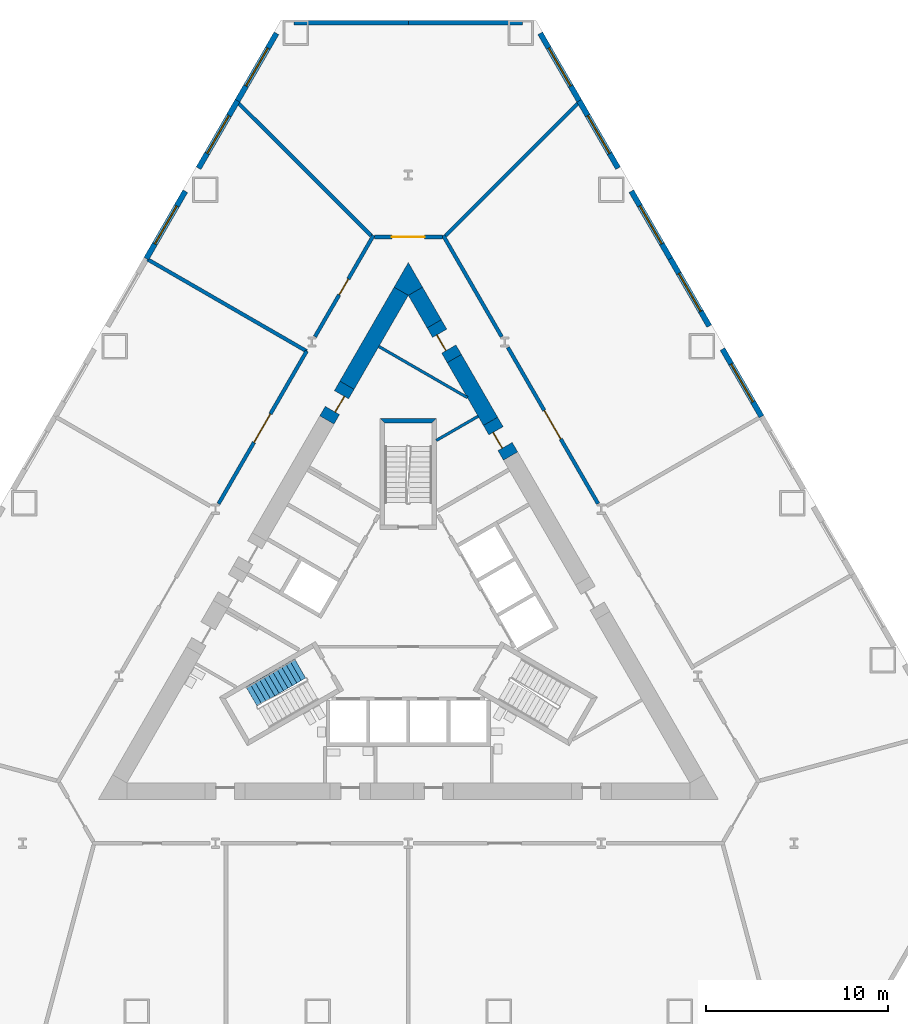
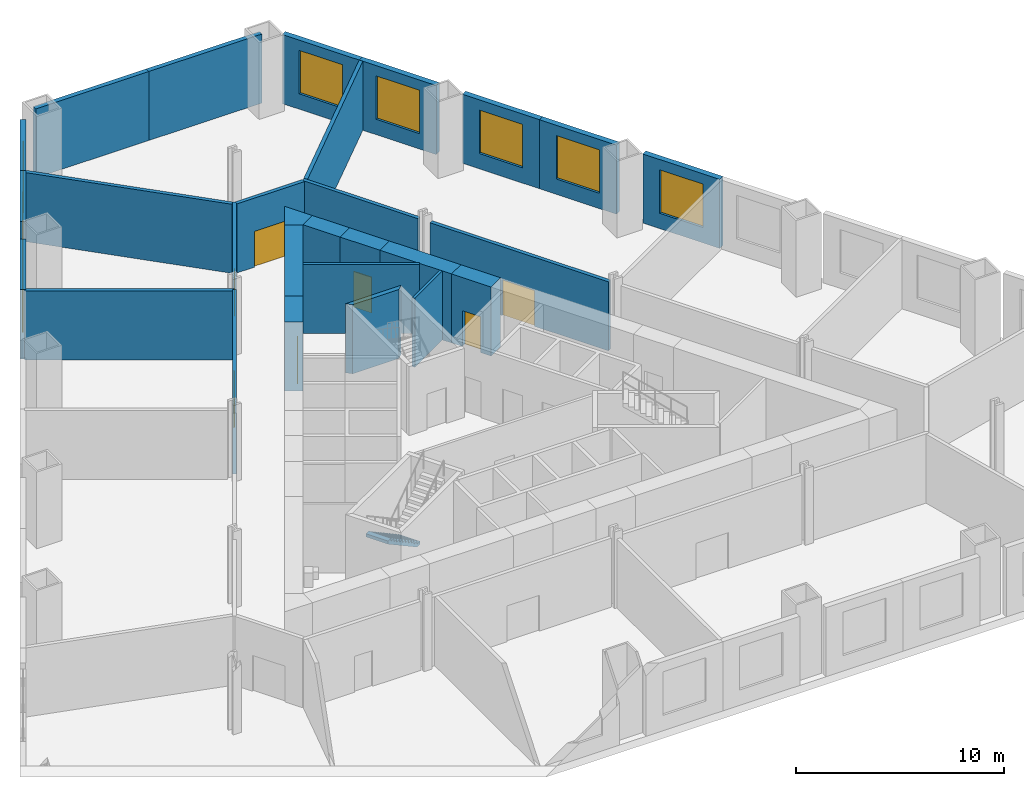
# One storey, part 5 of 8: 28 walls, 8 windows, 7 doors, 1 stair flight, 15 openings, 1 element without a shape of its own.
"""IFC4 building model written with IfcOpenShell, lengths in metres."""

from ifc_helpers import new_model, si_unit, direction, frame, frame_2d, origin, place, context, subcontext, project, spatial, polyline, rectangle, outline, extrude, material, layer, layer_set, type_object, element, fill, aggregate, save


model = new_model("IFC4")

# Units and contexts
model_context = context("Model", 3, precision=1e-05, world=origin(), true_north=direction((0.0, 1.0)))
body_context = subcontext(model_context, "Body", "Model", "MODEL_VIEW")
ifc_project = project(units=[si_unit("LENGTHUNIT", "METRE"), si_unit("AREAUNIT", "SQUARE_METRE"), si_unit("VOLUMEUNIT", "CUBIC_METRE"), si_unit("PLANEANGLEUNIT", "RADIAN"), si_unit("MASSUNIT", "GRAM", prefix="KILO")], contexts=[model_context])

# Site, building, storey
site_placement = place(None, origin())
site = spatial("IfcSite", under=ifc_project, at=site_placement, CompositionType="ELEMENT")
building_placement = place(site_placement, origin())
building = spatial("IfcBuilding", under=site, at=building_placement, Name="Cormorant Prow Tower", CompositionType="ELEMENT")
storey_placement = place(building_placement, frame((0.0, 0.0, 21.0)))
storey = spatial("IfcBuildingStorey", under=building, at=storey_placement, Name="L03", CompositionType="ELEMENT", Elevation=21.0)

# Walls
ifc_material_1 = material(Name="Gypsum board partition")
ifc_layer_1 = layer(ifc_material_1, 0.14990234375)
ifc_layer_set_1 = layer_set([ifc_layer_1], Name="Gypsum board partition")
wall_type_1 = type_object("IfcWallType", Name="Core partition 150", PredefinedType="PARTITIONING", material=ifc_layer_set_1)
wall_1_placement = place(storey_placement, frame((3.829345703125, 11.197265625, 0.0), z_axis=(0.0, 0.0, 1.0), x_axis=(-0.866016748302, -0.500014991436, 0.0)))
element("IfcWall", 1, at=wall_1_placement, inside=storey, type_object=wall_type_1, Name="Service room partition", PredefinedType="PARTITIONING", context=body_context, shape_type="SweptSolid", body=[
    extrude(rectangle(XDim=2.64892578125, YDim=0.14990234375, at=frame_2d((1.324462890625, 0.0))), origin(), (0.0, 0.0, 1.0), 4.050048828125),
])
wall_2_placement = place(storey_placement, frame((-1.61865234375, 15.0263671875, 0.0), z_axis=(0.0, 0.0, 1.0), x_axis=(0.866015917575, -0.500016430238, 0.0)))
element("IfcWall", 2, at=wall_2_placement, inside=storey, type_object=wall_type_1, Name="Service room partition", PredefinedType="PARTITIONING", context=body_context, shape_type="SweptSolid", body=[
    extrude(rectangle(XDim=5.607177734375, YDim=0.14990234375, at=frame_2d((2.8037109375, 0.0))), origin(), (0.0, 0.0, 1.0), 4.050048828125),
])
ifc_material_2 = material(Name="Concrete 8000 psi", Category="concrete")
ifc_layer_2 = layer(ifc_material_2, 0.89990234375)
ifc_layer_set_2 = layer_set([ifc_layer_2], Name="Concrete 8000 psi")
wall_type_2 = type_object("IfcWallType", Name="Core shear wall 900", PredefinedType="SHEAR", material=ifc_layer_set_2)
wall_3_placement = place(storey_placement, frame((4.508544921875, 10.9208984375, 0.0), z_axis=(0.0, 0.0, 1.0), x_axis=(-0.49999004381, 0.866031151917, 0.0)))
element("IfcWall", 3, at=wall_3_placement, inside=storey, type_object=wall_type_2, Name="Core wall", PredefinedType="SHEAR", context=body_context, shape_type="SweptSolid", body=[
    extrude(rectangle(XDim=3.97509765625, YDim=0.89990234375, at=frame_2d((1.987548828125, 0.0))), origin(), (0.0, 0.0, 1.0), 4.050048828125),
])
wall_4_placement = place(storey_placement, frame((1.4208984375, 16.268798828125, 0.0), z_axis=(0.0, 0.0, 1.0), x_axis=(-0.500009360108, 0.866019999656, 0.0)))
element("IfcWall", 4, at=wall_4_placement, inside=storey, type_object=wall_type_2, Name="Core wall", PredefinedType="SHEAR", context=body_context, shape_type="SweptSolid", body=[
    extrude(rectangle(XDim=2.0625, YDim=0.89990234375, at=frame_2d((1.03125, 0.0))), origin(), (0.0, 0.0, 1.0), 4.050048828125),
])
wall_5_placement = place(storey_placement, frame((-0.3896484375, 18.054931640625, 0.0), z_axis=(0.0, 0.0, 1.0), x_axis=(-0.499981657175, -0.86603599376, 0.0)))
element("IfcWall", 5, at=wall_5_placement, inside=storey, type_object=wall_type_2, Name="Core wall", PredefinedType="SHEAR", context=body_context, shape_type="SweptSolid", body=[
    extrude(rectangle(XDim=5.951904296875, YDim=0.89990234375, at=frame_2d((2.97607421875, 0.0))), origin(), (0.0, 0.0, 1.0), 4.050048828125),
])
wall_6_placement = place(storey_placement, origin())
element("IfcWall", 6, at=wall_6_placement, inside=storey, type_object=wall_type_2, Name="Core wall corner", PredefinedType="SHEAR", context=body_context, shape_type="SweptSolid", body=[
    extrude(outline(polyline([(-0.779296875, 18.27978515625), (0.0, 19.6298828125), (0.779296875, 18.27978515625), (0.0, 17.829833984375), (-0.779296875, 18.27978515625)])), origin(), (0.0, 0.0, 1.0), 4.050048828125),
])

# Wall, opening, door
wall_7_placement = place(storey_placement, frame((5.6083984375, 9.015869140625, 0.0), z_axis=(0.0, 0.0, 1.0), x_axis=(-0.499994660107, 0.866028486751, 0.0)))
wall_7 = element("IfcWall", 7, at=wall_7_placement, inside=storey, type_object=wall_type_2, Name="Core wall door panel", PredefinedType="SHEAR", context=body_context, shape_type="SweptSolid", body=[
    extrude(rectangle(XDim=2.19970703125, YDim=0.89990234375, at=frame_2d((1.099853515625, 0.0))), origin(), (0.0, 0.0, 1.0), 4.050048828125),
])
opening_1_placement = place(wall_7_placement, frame((0.60009765625, 0.0, 0.0)))
opening_1 = element("IfcOpeningElement", 8, at=opening_1_placement, cuts=wall_7, Name="Opening L03-C22", PredefinedType="OPENING", context=body_context, shape_type="SweptSolid", body=[
    extrude(rectangle(XDim=1.0, YDim=2.10009765625, at=frame_2d((0.5, 1.050048828125))), frame((0.0, 0.4599609375, 0.0), z_axis=(0.0, -1.0, 0.0), x_axis=(1.0, 0.0, 0.0)), (0.0, 0.0, 1.0), 0.919921875),
])
ifc_material_3 = material(Name="Painted steel", Category="steel")
door_type_1 = type_object("IfcDoorType", Name="Service door 1000x2100", OperationType="NOTDEFINED", PredefinedType="DOOR", material=ifc_material_3)
door_1_placement = place(opening_1_placement, origin())
door_1 = element("IfcDoor", 9, at=door_1_placement, inside=storey, type_object=door_type_1, Name="Core door, Mechanical riser room", OperationType="SINGLE_SWING_RIGHT", OverallHeight=2.10009765625, OverallWidth=1.0, PredefinedType="DOOR", context=body_context, shape_type="SweptSolid", body=[
    extrude(rectangle(XDim=1.0, YDim=2.10009765625, at=frame_2d((0.5, 1.050048828125))), frame((0.0, 0.205078125, 0.0), z_axis=(0.0, -1.0, 0.0), x_axis=(1.0, 0.0, 0.0)), (0.0, 0.0, 1.0), 0.050048828125),
])
fill(opening_1, door_1)

wall_8_placement = place(storey_placement, frame((-3.365478515625, 12.900390625, 0.0), z_axis=(0.0, 0.0, 1.0), x_axis=(-0.500077893725, -0.86598042715, 0.0)))
wall_8 = element("IfcWall", 10, at=wall_8_placement, inside=storey, type_object=wall_type_2, Name="Core wall door panel", PredefinedType="SHEAR", context=body_context, shape_type="SweptSolid", body=[
    extrude(rectangle(XDim=2.199951171875, YDim=0.89990234375, at=frame_2d((1.10009765625, 0.0))), origin(), (0.0, 0.0, 1.0), 4.050048828125),
])
opening_2_placement = place(wall_8_placement, frame((0.60009765625, 0.0, 0.0)))
opening_2 = element("IfcOpeningElement", 11, at=opening_2_placement, cuts=wall_8, Name="Opening L03-C23", PredefinedType="OPENING", context=body_context, shape_type="SweptSolid", body=[
    extrude(rectangle(XDim=1.0, YDim=2.10009765625, at=frame_2d((0.5, 1.050048828125))), frame((0.0, 0.4599609375, 0.0), z_axis=(0.0, -1.0, 0.0), x_axis=(1.0, 0.0, 0.0)), (0.0, 0.0, 1.0), 0.919921875),
])
door_2_placement = place(opening_2_placement, origin())
door_2 = element("IfcDoor", 12, at=door_2_placement, inside=storey, type_object=door_type_1, Name="Core door, Telecom room", OperationType="SINGLE_SWING_RIGHT", OverallHeight=2.10009765625, OverallWidth=1.0, PredefinedType="DOOR", context=body_context, shape_type="SweptSolid", body=[
    extrude(rectangle(XDim=1.0, YDim=2.10009765625, at=frame_2d((0.5, 1.050048828125))), frame((0.0, 0.205078125, 0.0), z_axis=(0.0, -1.0, 0.0), x_axis=(1.0, 0.0, 0.0)), (0.0, 0.0, 1.0), 0.050048828125),
])
fill(opening_2, door_2)

wall_9_placement = place(storey_placement, frame((2.52099609375, 14.363525390625, 0.0), z_axis=(0.0, 0.0, 1.0), x_axis=(-0.50002983664, 0.866008176907, 0.0)))
wall_9 = element("IfcWall", 13, at=wall_9_placement, inside=storey, type_object=wall_type_2, Name="Core wall door panel", PredefinedType="SHEAR", context=body_context, shape_type="SweptSolid", body=[
    extrude(rectangle(XDim=2.199951171875, YDim=0.89990234375, at=frame_2d((1.10009765625, 0.0))), origin(), (0.0, 0.0, 1.0), 4.050048828125),
])
opening_3_placement = place(wall_9_placement, frame((0.60009765625, 0.0, 0.0)))
opening_3 = element("IfcOpeningElement", 14, at=opening_3_placement, cuts=wall_9, Name="Opening L03-C24", PredefinedType="OPENING", context=body_context, shape_type="SweptSolid", body=[
    extrude(rectangle(XDim=1.0, YDim=2.10009765625, at=frame_2d((0.5, 1.050048828125))), frame((0.0, 0.4599609375, 0.0), z_axis=(0.0, -1.0, 0.0), x_axis=(1.0, 0.0, 0.0)), (0.0, 0.0, 1.0), 0.919921875),
])
door_3_placement = place(opening_3_placement, origin())
door_3 = element("IfcDoor", 15, at=door_3_placement, inside=storey, type_object=door_type_1, Name="Core door, Pantry store", OperationType="SINGLE_SWING_LEFT", OverallHeight=2.10009765625, OverallWidth=1.0, PredefinedType="DOOR", context=body_context, shape_type="SweptSolid", body=[
    extrude(rectangle(XDim=1.0, YDim=2.10009765625, at=frame_2d((0.5, 1.050048828125))), frame((0.0, 0.205078125, 0.0), z_axis=(0.0, -1.0, 0.0), x_axis=(1.0, 0.0, 0.0)), (0.0, 0.0, 1.0), 0.050048828125),
])
fill(opening_3, door_3)

ifc_material_4 = material(Name="Gypsum board corridor wall")
ifc_layer_3 = layer(ifc_material_4, 0.199951171875)
ifc_layer_set_3 = layer_set([ifc_layer_3], Name="Gypsum board corridor wall")
wall_type_3 = type_object("IfcWallType", Name="Corridor wall 200", PredefinedType="PARTITIONING", material=ifc_layer_set_3)
wall_10_placement = place(storey_placement, frame((5.45947265625, 14.973876953125, 0.0), z_axis=(0.0, 0.0, 1.0), x_axis=(0.499985793049, -0.866033606016, 0.0)))
wall_10 = element("IfcWall", 16, at=wall_10_placement, inside=storey, type_object=wall_type_3, Name="Corridor wall", PredefinedType="PARTITIONING", context=body_context, shape_type="SweptSolid", body=[
    extrude(rectangle(XDim=9.897705078125, YDim=0.199951171875, at=frame_2d((4.94873046875, 0.0))), origin(), (0.0, 0.0, 1.0), 4.050048828125),
])
opening_4_placement = place(wall_10_placement, frame((3.998291015625, 0.0, 0.0)))
opening_4 = element("IfcOpeningElement", 17, at=opening_4_placement, cuts=wall_10, Name="Opening L03-F09", PredefinedType="OPENING", context=body_context, shape_type="SweptSolid", body=[
    extrude(rectangle(XDim=1.800048828125, YDim=2.10009765625, at=frame_2d((0.89990234375, 1.050048828125))), frame((0.0, 0.10986328125, 0.0), z_axis=(0.0, -1.0, 0.0), x_axis=(1.0, 0.0, 0.0)), (0.0, 0.0, 1.0), 0.219970703125),
])
ifc_material_5 = material(Name="Timber door leaf", Category="wood")
door_type_2 = type_object("IfcDoorType", Name="Double door 1800x2100", OperationType="DOUBLE_DOOR_SINGLE_SWING", PredefinedType="DOOR", material=ifc_material_5)
door_4_placement = place(opening_4_placement, origin())
door_4 = element("IfcDoor", 18, at=door_4_placement, inside=storey, type_object=door_type_2, Name="Changing room door", OperationType="DOUBLE_DOOR_SINGLE_SWING", OverallHeight=2.10009765625, OverallWidth=1.800048828125, PredefinedType="DOOR", context=body_context, shape_type="SweptSolid", body=[
    extrude(rectangle(XDim=1.800048828125, YDim=2.10009765625, at=frame_2d((0.89990234375, 1.050048828125))), frame((0.0, 0.02490234375, 0.0), z_axis=(0.0, -1.0, 0.0), x_axis=(1.0, 0.0, 0.0)), (0.0, 0.0, 1.0), 0.050048828125),
])
fill(opening_4, door_4)

wall_11_placement = place(storey_placement, frame((-10.408203125, 6.402099609375, 0.0), z_axis=(0.0, 0.0, 1.0), x_axis=(0.499986904098, 0.866032964575, 0.0)))
wall_11 = element("IfcWall", 19, at=wall_11_placement, inside=storey, type_object=wall_type_3, Name="Corridor wall", PredefinedType="PARTITIONING", context=body_context, shape_type="SweptSolid", body=[
    extrude(rectangle(XDim=9.669677734375, YDim=0.199951171875, at=frame_2d((4.8349609375, 0.0))), origin(), (0.0, 0.0, 1.0), 4.050048828125),
])
opening_5_placement = place(wall_11_placement, frame((3.88427734375, 0.0, 0.0)))
opening_5 = element("IfcOpeningElement", 20, at=opening_5_placement, cuts=wall_11, Name="Opening L03-F08", PredefinedType="OPENING", context=body_context, shape_type="SweptSolid", body=[
    extrude(rectangle(XDim=1.800048828125, YDim=2.10009765625, at=frame_2d((0.89990234375, 1.050048828125))), frame((0.0, 0.10986328125, 0.0), z_axis=(0.0, -1.0, 0.0), x_axis=(1.0, 0.0, 0.0)), (0.0, 0.0, 1.0), 0.219970703125),
])
door_5_placement = place(opening_5_placement, origin())
door_5 = element("IfcDoor", 21, at=door_5_placement, inside=storey, type_object=door_type_2, Name="Pilates studio door", OperationType="DOUBLE_DOOR_SINGLE_SWING", OverallHeight=2.10009765625, OverallWidth=1.800048828125, PredefinedType="DOOR", context=body_context, shape_type="SweptSolid", body=[
    extrude(rectangle(XDim=1.800048828125, YDim=2.10009765625, at=frame_2d((0.89990234375, 1.050048828125))), frame((0.0, 0.02490234375, 0.0), z_axis=(0.0, -1.0, 0.0), x_axis=(1.0, 0.0, 0.0)), (0.0, 0.0, 1.0), 0.050048828125),
])
fill(opening_5, door_5)

wall_12_placement = place(storey_placement, frame((-5.119140625, 15.5634765625, 0.0), z_axis=(0.0, 0.0, 1.0), x_axis=(0.500004801114, 0.866022631842, 0.0)))
wall_12 = element("IfcWall", 22, at=wall_12_placement, inside=storey, type_object=wall_type_3, Name="Corridor wall", PredefinedType="PARTITIONING", context=body_context, shape_type="SweptSolid", body=[
    extrude(rectangle(XDim=6.412109375, YDim=0.199951171875, at=frame_2d((3.2060546875, 0.0))), origin(), (0.0, 0.0, 1.0), 4.050048828125),
])
opening_6_placement = place(wall_12_placement, frame((2.656005859375, 0.0, 0.0)))
opening_6 = element("IfcOpeningElement", 23, at=opening_6_placement, cuts=wall_12, Name="Opening L03-F01", PredefinedType="OPENING", context=body_context, shape_type="SweptSolid", body=[
    extrude(rectangle(XDim=1.0, YDim=2.10009765625, at=frame_2d((0.5, 1.050048828125))), frame((0.0, 0.10986328125, 0.0), z_axis=(0.0, -1.0, 0.0), x_axis=(1.0, 0.0, 0.0)), (0.0, 0.0, 1.0), 0.219970703125),
])
ifc_material_6 = material(Name="Timber door leaf", Category="wood")
door_type_3 = type_object("IfcDoorType", Name="Flat or room entrance door 1000x2100", OperationType="NOTDEFINED", PredefinedType="DOOR", material=ifc_material_6)
door_6_placement = place(opening_6_placement, origin())
door_6 = element("IfcDoor", 24, at=door_6_placement, inside=storey, type_object=door_type_3, Name="Pilates studio door", OperationType="SINGLE_SWING_LEFT", OverallHeight=2.10009765625, OverallWidth=1.0, PredefinedType="DOOR", context=body_context, shape_type="SweptSolid", body=[
    extrude(rectangle(XDim=1.0, YDim=2.10009765625, at=frame_2d((0.5, 1.050048828125))), frame((0.0, 0.02490234375, 0.0), z_axis=(0.0, -1.0, 0.0), x_axis=(1.0, 0.0, 0.0)), (0.0, 0.0, 1.0), 0.050048828125),
])
fill(opening_6, door_6)

# Wall
wall_13_placement = place(storey_placement, frame((1.9130859375, 21.116455078125, 0.0), z_axis=(0.0, 0.0, 1.0), x_axis=(0.500004801114, -0.866022631842, 0.0)))
element("IfcWall", 25, at=wall_13_placement, inside=storey, type_object=wall_type_3, Name="Corridor wall", PredefinedType="PARTITIONING", context=body_context, shape_type="SweptSolid", body=[
    extrude(rectangle(XDim=6.412109375, YDim=0.199951171875, at=frame_2d((3.2060546875, 0.0))), origin(), (0.0, 0.0, 1.0), 4.050048828125),
])

# Wall, opening, door
wall_14_placement = place(storey_placement, frame((-1.863037109375, 21.02978515625, 0.0), z_axis=(0.0, 0.0, 1.0), x_axis=(1.0, 0.0, 0.0)))
wall_14 = element("IfcWall", 26, at=wall_14_placement, inside=storey, type_object=wall_type_3, Name="Corridor wall", PredefinedType="PARTITIONING", context=body_context, shape_type="SweptSolid", body=[
    extrude(rectangle(XDim=3.72607421875, YDim=0.199951171875, at=frame_2d((1.863037109375, 0.0))), origin(), (0.0, 0.0, 1.0), 4.050048828125),
])
opening_7_placement = place(wall_14_placement, frame((0.962890625, 0.0, 0.0)))
opening_7 = element("IfcOpeningElement", 27, at=opening_7_placement, cuts=wall_14, Name="Opening L03-F02", PredefinedType="OPENING", context=body_context, shape_type="SweptSolid", body=[
    extrude(rectangle(XDim=1.800048828125, YDim=2.10009765625, at=frame_2d((0.89990234375, 1.050048828125))), frame((0.0, 0.10986328125, 0.0), z_axis=(0.0, -1.0, 0.0), x_axis=(1.0, 0.0, 0.0)), (0.0, 0.0, 1.0), 0.219970703125),
])
door_7_placement = place(opening_7_placement, origin())
door_7 = element("IfcDoor", 28, at=door_7_placement, inside=storey, type_object=door_type_2, Name="Changing room door", OperationType="DOUBLE_DOOR_SINGLE_SWING", OverallHeight=2.10009765625, OverallWidth=1.800048828125, PredefinedType="DOOR", context=body_context, shape_type="SweptSolid", body=[
    extrude(rectangle(XDim=1.800048828125, YDim=2.10009765625, at=frame_2d((0.89990234375, 1.050048828125))), frame((0.0, 0.02490234375, 0.0), z_axis=(0.0, -1.0, 0.0), x_axis=(1.0, 0.0, 0.0)), (0.0, 0.0, 1.0), 0.050048828125),
])
fill(opening_7, door_7)

# Walls
ifc_material_7 = material(Name="Gypsum board demising wall")
ifc_layer_4 = layer(ifc_material_7, 0.199951171875)
ifc_layer_set_4 = layer_set([ifc_layer_4], Name="Gypsum board demising wall")
wall_type_4 = type_object("IfcWallType", Name="Demising wall 200", PredefinedType="PARTITIONING", material=ifc_layer_set_4)
for number, where, z_axis, x_axis, name in (
    (29, (-9.329833984375, 28.390625, 0.0), (0.0, 0.0, 1.0), (0.707402604593, -0.706810833968, 0.0), "Demising wall"),
    (30, (2.03369140625, 21.1005859375, 0.0), (0.0, 0.0, 1.0), (0.707402604593, 0.706810833968, 0.0), "Demising wall"),
):
    element("IfcWall", number, at=place(storey_placement, frame(where, z_axis=z_axis, x_axis=x_axis)), inside=storey, type_object=wall_type_4, Name=name, PredefinedType="PARTITIONING", context=body_context, shape_type="SweptSolid", body=[
        extrude(rectangle(XDim=10.31396484375, YDim=0.199951171875, at=frame_2d((5.156982421875, 0.0))), origin(), (0.0, 0.0, 1.0), 4.050048828125),
    ])
wall_15_placement = place(storey_placement, frame((-14.3095703125, 19.80859375, 0.0), z_axis=(0.0, 0.0, 1.0), x_axis=(0.866017018378, -0.500014523669, 0.0)))
element("IfcWall", 31, at=wall_15_placement, inside=storey, type_object=wall_type_4, Name="Demising wall", PredefinedType="PARTITIONING", context=body_context, shape_type="SweptSolid", body=[
    extrude(rectangle(XDim=10.081787109375, YDim=0.199951171875, at=frame_2d((5.041015625, 0.0))), origin(), (0.0, 0.0, 1.0), 4.050048828125),
])
ifc_material_8 = material(Name="Concrete 8000 psi", Category="concrete")
ifc_layer_5 = layer(ifc_material_8, 0.25)
ifc_layer_set_5 = layer_set([ifc_layer_5], Name="Concrete 8000 psi")
wall_type_5 = type_object("IfcWallType", Name="Stair wall 250", PredefinedType="SHEAR", material=ifc_layer_set_5)
wall_16_placement = place(storey_placement, origin())
element("IfcWall", 32, at=wall_16_placement, inside=storey, type_object=wall_type_5, Name="Stair ST3 enclosure wall (end)", PredefinedType="SHEAR", context=body_context, shape_type="SweptSolid", body=[
    extrude(outline(polyline([(1.5439453125, 11.0869140625), (-1.5439453125, 11.0869140625), (-1.2939453125, 10.8369140625), (1.2939453125, 10.8369140625), (1.5439453125, 11.0869140625)])), origin(), (0.0, 0.0, 1.0), 4.050048828125),
])
ifc_material_9 = material(Name="Terracotta", Category="masonry")
ifc_layer_6 = layer(ifc_material_9, 0.25)
ifc_layer_set_6 = layer_set([ifc_layer_6], Name="Terracotta")
wall_type_6 = type_object("IfcWallType", Name="Terracotta bay wall 250", PredefinedType="SOLIDWALL", material=ifc_layer_set_6)
for number, where, z_axis, x_axis, name in (
    (33, (6.27001953125, 32.783935546875, 0.0), (0.0, 0.0, 1.0), (-1.0, 0.0, 0.0), "Terracotta bay wall N00"),
    (34, (0.0, 32.783935546875, 0.0), (0.0, 0.0, 1.0), (-1.0, 0.0, 0.0), "Terracotta bay wall N01"),
):
    element("IfcWall", number, at=place(storey_placement, frame(where, z_axis=z_axis, x_axis=x_axis)), inside=storey, type_object=wall_type_6, Name=name, PredefinedType="SOLIDWALL", context=body_context, shape_type="SweptSolid", body=[
        extrude(rectangle(XDim=6.27001953125, YDim=0.25, at=frame_2d((3.135009765625, 0.0))), origin(), (0.0, 0.0, 1.0), 4.050048828125),
    ])

# Wall, opening, window
ifc_material_10 = material(Name="Terracotta", Category="masonry")
ifc_layer_7 = layer(ifc_material_10, 0.300048828125)
ifc_layer_set_7 = layer_set([ifc_layer_7], Name="Terracotta")
wall_type_7 = type_object("IfcWallType", Name="Terracotta podium cladding wall 300", PredefinedType="SOLIDWALL", material=ifc_layer_set_7)
wall_17_placement = place(storey_placement, frame((19.3701171875, 11.183349609375, 0.0), z_axis=(0.0, 0.0, 1.0), x_axis=(-0.499994660107, 0.866028486751, 0.0)))
wall_17 = element("IfcWall", 35, at=wall_17_placement, inside=storey, type_object=wall_type_7, Name="Terracotta podium wall ENE05", PredefinedType="SOLIDWALL", context=body_context, shape_type="SweptSolid", body=[
    extrude(rectangle(XDim=4.27001953125, YDim=0.300048828125, at=frame_2d((2.135009765625, 0.0))), origin(), (0.0, 0.0, 1.0), 4.050048828125),
])
opening_8_placement = place(wall_17_placement, frame((0.93505859375, 0.0, 0.89990234375)))
opening_8 = element("IfcOpeningElement", 36, at=opening_8_placement, cuts=wall_17, Name="Opening WN22", PredefinedType="OPENING", context=body_context, shape_type="SweptSolid", body=[
    extrude(rectangle(XDim=2.39990234375, YDim=2.550048828125, at=frame_2d((1.199951171875, 1.27490234375))), frame((0.0, 0.159912109375, 0.0), z_axis=(0.0, -1.0, 0.0), x_axis=(1.0, 0.0, 0.0)), (0.0, 0.0, 1.0), 0.320068359375),
])
ifc_material_11 = material(Name="Aluminium 6063-T6", Category="aluminium")
window_type = type_object("IfcWindowType", Name="Podium window 2400x2550", PartitioningType="SINGLE_PANEL", PredefinedType="WINDOW", material=ifc_material_11)
window_1_placement = place(opening_8_placement, origin())
window_1 = element("IfcWindow", 37, at=window_1_placement, inside=storey, type_object=window_type, Name="Podium window ENE05", OverallHeight=2.550048828125, OverallWidth=2.39990234375, PartitioningType="SINGLE_PANEL", PredefinedType="WINDOW", context=body_context, shape_type="SweptSolid", body=[
    extrude(rectangle(XDim=2.39990234375, YDim=2.550048828125, at=frame_2d((1.199951171875, 1.27490234375))), frame((0.0, 0.030029296875, 0.0), z_axis=(0.0, -1.0, 0.0), x_axis=(1.0, 0.0, 0.0)), (0.0, 0.0, 1.0), 0.06005859375),
])
fill(opening_8, window_1)

wall_18_placement = place(storey_placement, frame((16.505126953125, 16.145751953125, 0.0), z_axis=(0.0, 0.0, 1.0), x_axis=(-0.500019418418, 0.866014192265, 0.0)))
wall_18 = element("IfcWall", 38, at=wall_18_placement, inside=storey, type_object=wall_type_7, Name="Terracotta podium wall ENE06", PredefinedType="SOLIDWALL", context=body_context, shape_type="SweptSolid", body=[
    extrude(rectangle(XDim=4.269775390625, YDim=0.300048828125, at=frame_2d((2.134765625, 0.0))), origin(), (0.0, 0.0, 1.0), 4.050048828125),
])
opening_9_placement = place(wall_18_placement, frame((0.93505859375, 0.0, 0.89990234375)))
opening_9 = element("IfcOpeningElement", 39, at=opening_9_placement, cuts=wall_18, Name="Opening WN22", PredefinedType="OPENING", context=body_context, shape_type="SweptSolid", body=[
    extrude(rectangle(XDim=2.39990234375, YDim=2.550048828125, at=frame_2d((1.199951171875, 1.27490234375))), frame((0.0, 0.159912109375, 0.0), z_axis=(0.0, -1.0, 0.0), x_axis=(1.0, 0.0, 0.0)), (0.0, 0.0, 1.0), 0.320068359375),
])
window_2_placement = place(opening_9_placement, origin())
window_2 = element("IfcWindow", 40, at=window_2_placement, inside=storey, type_object=window_type, Name="Podium window ENE06", OverallHeight=2.550048828125, OverallWidth=2.39990234375, PartitioningType="SINGLE_PANEL", PredefinedType="WINDOW", context=body_context, shape_type="SweptSolid", body=[
    extrude(rectangle(XDim=2.39990234375, YDim=2.550048828125, at=frame_2d((1.199951171875, 1.27490234375))), frame((0.0, 0.030029296875, 0.0), z_axis=(0.0, -1.0, 0.0), x_axis=(1.0, 0.0, 0.0)), (0.0, 0.0, 1.0), 0.06005859375),
])
fill(opening_9, window_2)

wall_19_placement = place(storey_placement, frame((14.3701171875, 19.843505859375, 0.0), z_axis=(0.0, 0.0, 1.0), x_axis=(-0.499994660107, 0.866028486751, 0.0)))
wall_19 = element("IfcWall", 41, at=wall_19_placement, inside=storey, type_object=wall_type_7, Name="Terracotta podium wall ENE07", PredefinedType="SOLIDWALL", context=body_context, shape_type="SweptSolid", body=[
    extrude(rectangle(XDim=4.27001953125, YDim=0.300048828125, at=frame_2d((2.135009765625, 0.0))), origin(), (0.0, 0.0, 1.0), 4.050048828125),
])
opening_10_placement = place(wall_19_placement, frame((0.93505859375, 0.0, 0.89990234375)))
opening_10 = element("IfcOpeningElement", 42, at=opening_10_placement, cuts=wall_19, Name="Opening WN22", PredefinedType="OPENING", context=body_context, shape_type="SweptSolid", body=[
    extrude(rectangle(XDim=2.39990234375, YDim=2.550048828125, at=frame_2d((1.199951171875, 1.27490234375))), frame((0.0, 0.159912109375, 0.0), z_axis=(0.0, -1.0, 0.0), x_axis=(1.0, 0.0, 0.0)), (0.0, 0.0, 1.0), 0.320068359375),
])
window_3_placement = place(opening_10_placement, origin())
window_3 = element("IfcWindow", 43, at=window_3_placement, inside=storey, type_object=window_type, Name="Podium window ENE07", OverallHeight=2.550048828125, OverallWidth=2.39990234375, PartitioningType="SINGLE_PANEL", PredefinedType="WINDOW", context=body_context, shape_type="SweptSolid", body=[
    extrude(rectangle(XDim=2.39990234375, YDim=2.550048828125, at=frame_2d((1.199951171875, 1.27490234375))), frame((0.0, 0.030029296875, 0.0), z_axis=(0.0, -1.0, 0.0), x_axis=(1.0, 0.0, 0.0)), (0.0, 0.0, 1.0), 0.06005859375),
])
fill(opening_10, window_3)

wall_20_placement = place(storey_placement, frame((11.505126953125, 24.805908203125, 0.0), z_axis=(0.0, 0.0, 1.0), x_axis=(-0.499994660107, 0.866028486751, 0.0)))
wall_20 = element("IfcWall", 44, at=wall_20_placement, inside=storey, type_object=wall_type_7, Name="Terracotta podium wall ENE08", PredefinedType="SOLIDWALL", context=body_context, shape_type="SweptSolid", body=[
    extrude(rectangle(XDim=4.27001953125, YDim=0.300048828125, at=frame_2d((2.135009765625, 0.0))), origin(), (0.0, 0.0, 1.0), 4.050048828125),
])
opening_11_placement = place(wall_20_placement, frame((0.93505859375, 0.0, 0.89990234375)))
opening_11 = element("IfcOpeningElement", 45, at=opening_11_placement, cuts=wall_20, Name="Opening WN22", PredefinedType="OPENING", context=body_context, shape_type="SweptSolid", body=[
    extrude(rectangle(XDim=2.39990234375, YDim=2.550048828125, at=frame_2d((1.199951171875, 1.27490234375))), frame((0.0, 0.159912109375, 0.0), z_axis=(0.0, -1.0, 0.0), x_axis=(1.0, 0.0, 0.0)), (0.0, 0.0, 1.0), 0.320068359375),
])
window_4_placement = place(opening_11_placement, origin())
window_4 = element("IfcWindow", 46, at=window_4_placement, inside=storey, type_object=window_type, Name="Podium window ENE08", OverallHeight=2.550048828125, OverallWidth=2.39990234375, PartitioningType="SINGLE_PANEL", PredefinedType="WINDOW", context=body_context, shape_type="SweptSolid", body=[
    extrude(rectangle(XDim=2.39990234375, YDim=2.550048828125, at=frame_2d((1.199951171875, 1.27490234375))), frame((0.0, 0.030029296875, 0.0), z_axis=(0.0, -1.0, 0.0), x_axis=(1.0, 0.0, 0.0)), (0.0, 0.0, 1.0), 0.06005859375),
])
fill(opening_11, window_4)

wall_21_placement = place(storey_placement, frame((9.3701171875, 28.50390625, 0.0), z_axis=(0.0, 0.0, 1.0), x_axis=(-0.500019418418, 0.866014192265, 0.0)))
wall_21 = element("IfcWall", 47, at=wall_21_placement, inside=storey, type_object=wall_type_7, Name="Terracotta podium wall ENE09", PredefinedType="SOLIDWALL", context=body_context, shape_type="SweptSolid", body=[
    extrude(rectangle(XDim=4.269775390625, YDim=0.300048828125, at=frame_2d((2.134765625, 0.0))), origin(), (0.0, 0.0, 1.0), 4.050048828125),
])
opening_12_placement = place(wall_21_placement, frame((0.93505859375, 0.0, 0.89990234375)))
opening_12 = element("IfcOpeningElement", 48, at=opening_12_placement, cuts=wall_21, Name="Opening WN22", PredefinedType="OPENING", context=body_context, shape_type="SweptSolid", body=[
    extrude(rectangle(XDim=2.39990234375, YDim=2.550048828125, at=frame_2d((1.199951171875, 1.27490234375))), frame((0.0, 0.159912109375, 0.0), z_axis=(0.0, -1.0, 0.0), x_axis=(1.0, 0.0, 0.0)), (0.0, 0.0, 1.0), 0.320068359375),
])
window_5_placement = place(opening_12_placement, origin())
window_5 = element("IfcWindow", 49, at=window_5_placement, inside=storey, type_object=window_type, Name="Podium window ENE09", OverallHeight=2.550048828125, OverallWidth=2.39990234375, PartitioningType="SINGLE_PANEL", PredefinedType="WINDOW", context=body_context, shape_type="SweptSolid", body=[
    extrude(rectangle(XDim=2.39990234375, YDim=2.550048828125, at=frame_2d((1.199951171875, 1.27490234375))), frame((0.0, 0.030029296875, 0.0), z_axis=(0.0, -1.0, 0.0), x_axis=(1.0, 0.0, 0.0)), (0.0, 0.0, 1.0), 0.06005859375),
])
fill(opening_12, window_5)

wall_22_placement = place(storey_placement, frame((-7.235107421875, 32.20166015625, 0.0), z_axis=(0.0, 0.0, 1.0), x_axis=(-0.500019418418, -0.866014192265, 0.0)))
wall_22 = element("IfcWall", 50, at=wall_22_placement, inside=storey, type_object=wall_type_7, Name="Terracotta podium wall WNW00", PredefinedType="SOLIDWALL", context=body_context, shape_type="SweptSolid", body=[
    extrude(rectangle(XDim=4.269775390625, YDim=0.300048828125, at=frame_2d((2.134765625, 0.0))), origin(), (0.0, 0.0, 1.0), 4.050048828125),
])
opening_13_placement = place(wall_22_placement, frame((0.93505859375, 0.0, 0.89990234375)))
opening_13 = element("IfcOpeningElement", 51, at=opening_13_placement, cuts=wall_22, Name="Opening WN22", PredefinedType="OPENING", context=body_context, shape_type="SweptSolid", body=[
    extrude(rectangle(XDim=2.39990234375, YDim=2.550048828125, at=frame_2d((1.199951171875, 1.27490234375))), frame((0.0, 0.159912109375, 0.0), z_axis=(0.0, -1.0, 0.0), x_axis=(1.0, 0.0, 0.0)), (0.0, 0.0, 1.0), 0.320068359375),
])
window_6_placement = place(opening_13_placement, origin())
window_6 = element("IfcWindow", 52, at=window_6_placement, inside=storey, type_object=window_type, Name="Podium window WNW00", OverallHeight=2.550048828125, OverallWidth=2.39990234375, PartitioningType="SINGLE_PANEL", PredefinedType="WINDOW", context=body_context, shape_type="SweptSolid", body=[
    extrude(rectangle(XDim=2.39990234375, YDim=2.550048828125, at=frame_2d((1.199951171875, 1.27490234375))), frame((0.0, 0.030029296875, 0.0), z_axis=(0.0, -1.0, 0.0), x_axis=(1.0, 0.0, 0.0)), (0.0, 0.0, 1.0), 0.06005859375),
])
fill(opening_13, window_6)

wall_23_placement = place(storey_placement, frame((-9.3701171875, 28.50390625, 0.0), z_axis=(0.0, 0.0, 1.0), x_axis=(-0.499994660107, -0.866028486751, 0.0)))
wall_23 = element("IfcWall", 53, at=wall_23_placement, inside=storey, type_object=wall_type_7, Name="Terracotta podium wall WNW01", PredefinedType="SOLIDWALL", context=body_context, shape_type="SweptSolid", body=[
    extrude(rectangle(XDim=4.27001953125, YDim=0.300048828125, at=frame_2d((2.135009765625, 0.0))), origin(), (0.0, 0.0, 1.0), 4.050048828125),
])
opening_14_placement = place(wall_23_placement, frame((0.93505859375, 0.0, 0.89990234375)))
opening_14 = element("IfcOpeningElement", 54, at=opening_14_placement, cuts=wall_23, Name="Opening WN22", PredefinedType="OPENING", context=body_context, shape_type="SweptSolid", body=[
    extrude(rectangle(XDim=2.39990234375, YDim=2.550048828125, at=frame_2d((1.199951171875, 1.27490234375))), frame((0.0, 0.159912109375, 0.0), z_axis=(0.0, -1.0, 0.0), x_axis=(1.0, 0.0, 0.0)), (0.0, 0.0, 1.0), 0.320068359375),
])
window_7_placement = place(opening_14_placement, origin())
window_7 = element("IfcWindow", 55, at=window_7_placement, inside=storey, type_object=window_type, Name="Podium window WNW01", OverallHeight=2.550048828125, OverallWidth=2.39990234375, PartitioningType="SINGLE_PANEL", PredefinedType="WINDOW", context=body_context, shape_type="SweptSolid", body=[
    extrude(rectangle(XDim=2.39990234375, YDim=2.550048828125, at=frame_2d((1.199951171875, 1.27490234375))), frame((0.0, 0.030029296875, 0.0), z_axis=(0.0, -1.0, 0.0), x_axis=(1.0, 0.0, 0.0)), (0.0, 0.0, 1.0), 0.06005859375),
])
fill(opening_14, window_7)

wall_24_placement = place(storey_placement, frame((-12.235107421875, 23.54150390625, 0.0), z_axis=(0.0, 0.0, 1.0), x_axis=(-0.499994660107, -0.866028486751, 0.0)))
wall_24 = element("IfcWall", 56, at=wall_24_placement, inside=storey, type_object=wall_type_7, Name="Terracotta podium wall WNW02", PredefinedType="SOLIDWALL", context=body_context, shape_type="SweptSolid", body=[
    extrude(rectangle(XDim=4.27001953125, YDim=0.300048828125, at=frame_2d((2.135009765625, 0.0))), origin(), (0.0, 0.0, 1.0), 4.050048828125),
])
opening_15_placement = place(wall_24_placement, frame((0.93505859375, 0.0, 0.89990234375)))
opening_15 = element("IfcOpeningElement", 57, at=opening_15_placement, cuts=wall_24, Name="Opening WN22", PredefinedType="OPENING", context=body_context, shape_type="SweptSolid", body=[
    extrude(rectangle(XDim=2.39990234375, YDim=2.550048828125, at=frame_2d((1.199951171875, 1.27490234375))), frame((0.0, 0.159912109375, 0.0), z_axis=(0.0, -1.0, 0.0), x_axis=(1.0, 0.0, 0.0)), (0.0, 0.0, 1.0), 0.320068359375),
])
window_8_placement = place(opening_15_placement, origin())
window_8 = element("IfcWindow", 58, at=window_8_placement, inside=storey, type_object=window_type, Name="Podium window WNW02", OverallHeight=2.550048828125, OverallWidth=2.39990234375, PartitioningType="SINGLE_PANEL", PredefinedType="WINDOW", context=body_context, shape_type="SweptSolid", body=[
    extrude(rectangle(XDim=2.39990234375, YDim=2.550048828125, at=frame_2d((1.199951171875, 1.27490234375))), frame((0.0, 0.030029296875, 0.0), z_axis=(0.0, -1.0, 0.0), x_axis=(1.0, 0.0, 0.0)), (0.0, 0.0, 1.0), 0.06005859375),
])
fill(opening_15, window_8)

# Stair, stair flight
ifc_material_12 = material(Name="Exit stair 24 risers")
stair_type = type_object("IfcStairType", Name="Exit stair 24 risers", PredefinedType="HALF_TURN_STAIR", material=ifc_material_12)
stair_placement = place(storey_placement, origin())
stair = element("IfcStair", 59, at=stair_placement, inside=storey, type_object=stair_type, Name="L03 Exit stair ST1", PredefinedType="HALF_TURN_STAIR")
ifc_material_13 = material(Name="Concrete 5000 psi", Category="concrete")
stair_flight_type = type_object("IfcStairFlightType", Name="Stair flight 1219", PredefinedType="STRAIGHT", material=ifc_material_13)
stair_flight_placement = place(storey_placement, frame((-5.93310546875, -2.635009765625, 0.0), z_axis=(0.0, 0.0, 1.0), x_axis=(-0.866025403784, -0.5, 0.0)))
stair_flight = element("IfcStairFlight", 60, at=stair_flight_placement, type_object=stair_flight_type, Name="ST1 flight 1", NumberOfRisers=12, NumberOfTreads=11, PredefinedType="STRAIGHT", RiserHeight=0.1875, TreadLength=0.28, context=body_context, shape_type="SweptSolid", body=[
    extrude(outline(polyline([(0.0, 0.0), (0.0, 0.1875), (0.280029296875, 0.1875), (0.280029296875, 0.375), (0.56005859375, 0.375), (0.56005859375, 0.5625), (0.840087890625, 0.5625), (0.840087890625, 0.75), (1.1201171875, 0.75), (1.1201171875, 0.9375), (1.39990234375, 0.9375), (1.39990234375, 1.125), (1.679931640625, 1.125), (1.679931640625, 1.3125), (1.9599609375, 1.3125), (1.9599609375, 1.5), (2.239990234375, 1.5), (2.239990234375, 1.6875), (2.52001953125, 1.6875), (2.52001953125, 1.875), (2.800048828125, 1.875), (2.800048828125, 2.0625), (3.080078125, 2.0625), (3.080078125, 2.25), (3.080078125, 1.882080078125), (0.26953125, 0.0), (0.0, 0.0)])), frame((0.0, 0.609375, 0.0), z_axis=(0.0, -1.0, 0.0), x_axis=(1.0, 0.0, 0.0)), (0.0, 0.0, 1.0), 1.218994140625),
])
aggregate(stair, [stair_flight])

save(model, "model.ifc")
